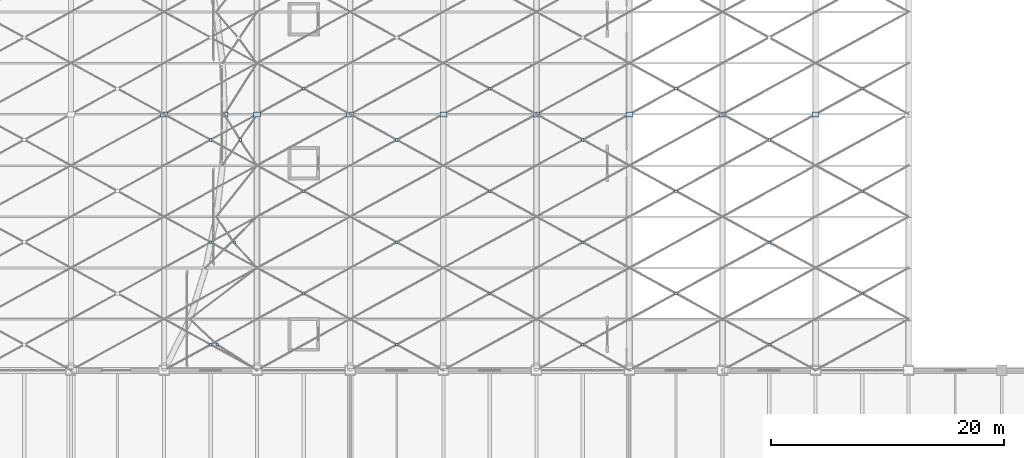
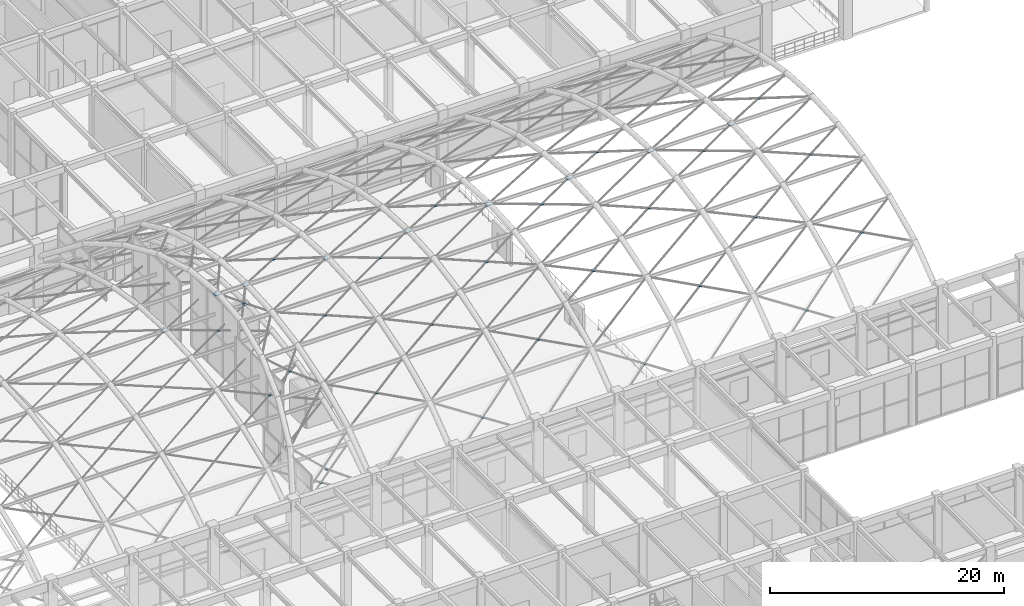
# One storey, part 124 of 163: 37 plates.
"""IFC4 building model written with IfcOpenShell, lengths in metres."""

from ifc_helpers import new_model, si_unit, direction, frame, origin, origin_2d, place, context, subcontext, project, spatial, rectangle, extrude, material, layer, layer_set, type_object, element, save


model = new_model("IFC4")

# Units and contexts
model_context = context("Model", 3, precision=1e-05, world=origin(), true_north=direction((0.0, 1.0)))
body_context = subcontext(model_context, "Body", "Model", "MODEL_VIEW")
ifc_project = project(units=[si_unit("LENGTHUNIT", "METRE"), si_unit("AREAUNIT", "SQUARE_METRE"), si_unit("VOLUMEUNIT", "CUBIC_METRE"), si_unit("PLANEANGLEUNIT", "RADIAN"), si_unit("MASSUNIT", "GRAM", prefix="KILO")], contexts=[model_context])

# Site, building, storey
site_placement = place(None, origin())
site = spatial("IfcSite", under=ifc_project, at=site_placement, CompositionType="ELEMENT")
building_placement = place(site_placement, origin())
building = spatial("IfcBuilding", under=site, at=building_placement, Name="Varnabhumi Central Station", CompositionType="ELEMENT")
storey_placement = place(building_placement, frame((0.0, 0.0, 9.60009765625)))
storey = spatial("IfcBuildingStorey", under=building, at=storey_placement, Name="L02", CompositionType="ELEMENT", Elevation=9.60009765625)

# Plates
ifc_material = material(Name="Structural steel E450", Category="steel")
ifc_layer = layer(ifc_material, 0.035888671875, Name="Structural steel E450", Category="steel")
ifc_layer_set = layer_set([ifc_layer], Name="Structural steel E450")
plate_type = type_object("IfcPlateType", Name="PLT-CLEVIS-C", PredefinedType="SHEET", material=ifc_layer_set)
for number, where, z_axis, x_axis, name in (
    (1, (72.0, 58.0, 10.61181640625), (0.0, 0.0, 1.0), (1.0, 0.0, 0.0), "Ticket Hall Vault Crown Cable Clevis Plate 5"),
    (2, (80.0, 58.0, 10.61181640625), (0.0, 0.0, 1.0), (1.0, 0.0, 0.0), "Ticket Hall Vault Crown Cable Clevis Plate 6"),
):
    element("IfcPlate", number, at=place(storey_placement, frame(where, z_axis=z_axis, x_axis=x_axis)), inside=storey, type_object=plate_type, Name=name, PredefinedType="SHEET", context=body_context, shape_type="SweptSolid", body=[
        extrude(rectangle(XDim=0.60009765625, YDim=0.449951171875, at=origin_2d()), origin(), (0.0, 0.0, 1.0), 0.035888671875),
    ])
for number, where, z_axis, x_axis, name in (
    (3, (76.0, 38.199951171875, 5.30322265625), (0.0, 0.0, 1.0), (1.0, 0.0, 0.0), "Ticket Hall Vault Cable-Net Crossing Clamp Node B5-P1"),
    (4, (76.0, 47.0, 9.13134765625), (0.0, 0.0, 1.0), (1.0, 0.0, 0.0), "Ticket Hall Vault Cable-Net Crossing Clamp Node B5-P3"),
    (5, (76.0, 55.800048828125, 10.541015625), (0.0, 0.0, 1.0), (1.0, 0.0, 0.0), "Ticket Hall Vault Cable-Net Crossing Clamp Node B5-P5"),
):
    element("IfcPlate", number, at=place(storey_placement, frame(where, z_axis=z_axis, x_axis=x_axis)), inside=storey, type_object=plate_type, Name=name, PredefinedType="SHEET", context=body_context, shape_type="SweptSolid", body=[
        extrude(rectangle(XDim=0.219970703125, YDim=0.219970703125, at=origin_2d()), origin(), (0.0, 0.0, 1.0), 0.028076171875),
    ])
for number, where, z_axis, x_axis, name in (
    (6, (77.199951171875, 58.0, 12.61181640625), (0.0, 0.0, 1.0), (1.0, 0.0, 0.0), "Departure Concourse Vault Crown Cable Clevis Plate 1"),
    (7, (80.0, 58.0, 12.61181640625), (0.0, 0.0, 1.0), (1.0, 0.0, 0.0), "Departure Concourse Vault Crown Cable Clevis Plate 2"),
    (8, (88.0, 58.0, 12.61181640625), (0.0, 0.0, 1.0), (1.0, 0.0, 0.0), "Departure Concourse Vault Crown Cable Clevis Plate 3"),
    (9, (96.0, 58.0, 12.61181640625), (0.0, 0.0, 1.0), (1.0, 0.0, 0.0), "Departure Concourse Vault Crown Cable Clevis Plate 4"),
    (10, (104.0, 58.0, 12.61181640625), (0.0, 0.0, 1.0), (1.0, 0.0, 0.0), "Departure Concourse Vault Crown Cable Clevis Plate 5"),
    (11, (112.0, 58.0, 12.61181640625), (0.0, 0.0, 1.0), (1.0, 0.0, 0.0), "Departure Concourse Vault Crown Cable Clevis Plate 6"),
    (12, (120.0, 58.0, 12.61181640625), (0.0, 0.0, 1.0), (1.0, 0.0, 0.0), "Departure Concourse Vault Crown Cable Clevis Plate 7"),
    (13, (128.0, 58.0, 12.61181640625), (0.0, 0.0, 1.0), (1.0, 0.0, 0.0), "Departure Concourse Vault Crown Cable Clevis Plate 8"),
):
    element("IfcPlate", number, at=place(storey_placement, frame(where, z_axis=z_axis, x_axis=x_axis)), inside=storey, type_object=plate_type, Name=name, PredefinedType="SHEET", context=body_context, shape_type="SweptSolid", body=[
        extrude(rectangle(XDim=0.60009765625, YDim=0.449951171875, at=origin_2d()), origin(), (0.0, 0.0, 1.0), 0.035888671875),
    ])
for number, where, z_axis, x_axis, name in (
    (14, (76.553466796875, 38.199951171875, 6.51611328125), (0.0, 0.0, 1.0), (1.0, 0.0, 0.0), "Departure Concourse Vault Cable-Net Crossing Clamp Node B1-P1"),
    (15, (78.01708984375, 47.0, 10.9072265625), (0.0, 0.0, 1.0), (1.0, 0.0, 0.0), "Departure Concourse Vault Cable-Net Crossing Clamp Node B1-P3"),
    (16, (78.55615234375, 55.800048828125, 12.52392578125), (0.0, 0.0, 1.0), (1.0, 0.0, 0.0), "Departure Concourse Vault Cable-Net Crossing Clamp Node B1-P5"),
    (17, (84.0, 42.60009765625, 9.19921875), (0.0, 0.0, 1.0), (1.0, 0.0, 0.0), "Departure Concourse Vault Cable-Net Crossing Clamp Node B2-P2"),
    (18, (84.0, 51.39990234375, 11.99267578125), (0.0, 0.0, 1.0), (1.0, 0.0, 0.0), "Departure Concourse Vault Cable-Net Crossing Clamp Node B2-P4"),
    (19, (84.0, 60.199951171875, 12.52392578125), (0.0, 0.0, 1.0), (1.0, 0.0, 0.0), "Departure Concourse Vault Cable-Net Crossing Clamp Node B2-P6"),
    (20, (92.0, 38.199951171875, 6.51611328125), (0.0, 0.0, 1.0), (1.0, 0.0, 0.0), "Departure Concourse Vault Cable-Net Crossing Clamp Node B3-P1"),
    (21, (92.0, 47.0, 10.9072265625), (0.0, 0.0, 1.0), (1.0, 0.0, 0.0), "Departure Concourse Vault Cable-Net Crossing Clamp Node B3-P3"),
    (22, (92.0, 55.800048828125, 12.52392578125), (0.0, 0.0, 1.0), (1.0, 0.0, 0.0), "Departure Concourse Vault Cable-Net Crossing Clamp Node B3-P5"),
    (23, (100.0, 42.60009765625, 9.19921875), (0.0, 0.0, 1.0), (1.0, 0.0, 0.0), "Departure Concourse Vault Cable-Net Crossing Clamp Node B4-P2"),
    (24, (100.0, 51.39990234375, 11.99267578125), (0.0, 0.0, 1.0), (1.0, 0.0, 0.0), "Departure Concourse Vault Cable-Net Crossing Clamp Node B4-P4"),
    (25, (100.0, 60.199951171875, 12.52392578125), (0.0, 0.0, 1.0), (1.0, 0.0, 0.0), "Departure Concourse Vault Cable-Net Crossing Clamp Node B4-P6"),
    (26, (108.0, 38.199951171875, 6.51611328125), (0.0, 0.0, 1.0), (1.0, 0.0, 0.0), "Departure Concourse Vault Cable-Net Crossing Clamp Node B5-P1"),
    (27, (108.0, 47.0, 10.9072265625), (0.0, 0.0, 1.0), (1.0, 0.0, 0.0), "Departure Concourse Vault Cable-Net Crossing Clamp Node B5-P3"),
    (28, (108.0, 55.800048828125, 12.52392578125), (0.0, 0.0, 1.0), (1.0, 0.0, 0.0), "Departure Concourse Vault Cable-Net Crossing Clamp Node B5-P5"),
    (29, (116.0, 42.60009765625, 9.19921875), (0.0, 0.0, 1.0), (1.0, 0.0, 0.0), "Departure Concourse Vault Cable-Net Crossing Clamp Node B6-P2"),
    (30, (116.0, 51.39990234375, 11.99267578125), (0.0, 0.0, 1.0), (1.0, 0.0, 0.0), "Departure Concourse Vault Cable-Net Crossing Clamp Node B6-P4"),
    (31, (116.0, 60.199951171875, 12.52392578125), (0.0, 0.0, 1.0), (1.0, 0.0, 0.0), "Departure Concourse Vault Cable-Net Crossing Clamp Node B6-P6"),
    (32, (124.0, 38.199951171875, 6.51611328125), (0.0, 0.0, 1.0), (1.0, 0.0, 0.0), "Departure Concourse Vault Cable-Net Crossing Clamp Node B7-P1"),
    (33, (124.0, 47.0, 10.9072265625), (0.0, 0.0, 1.0), (1.0, 0.0, 0.0), "Departure Concourse Vault Cable-Net Crossing Clamp Node B7-P3"),
    (34, (124.0, 55.800048828125, 12.52392578125), (0.0, 0.0, 1.0), (1.0, 0.0, 0.0), "Departure Concourse Vault Cable-Net Crossing Clamp Node B7-P5"),
    (35, (132.0, 42.60009765625, 9.19921875), (0.0, 0.0, 1.0), (1.0, 0.0, 0.0), "Departure Concourse Vault Cable-Net Crossing Clamp Node B8-P2"),
    (36, (132.0, 51.39990234375, 11.99267578125), (0.0, 0.0, 1.0), (1.0, 0.0, 0.0), "Departure Concourse Vault Cable-Net Crossing Clamp Node B8-P4"),
    (37, (132.0, 60.199951171875, 12.52392578125), (0.0, 0.0, 1.0), (1.0, 0.0, 0.0), "Departure Concourse Vault Cable-Net Crossing Clamp Node B8-P6"),
):
    element("IfcPlate", number, at=place(storey_placement, frame(where, z_axis=z_axis, x_axis=x_axis)), inside=storey, type_object=plate_type, Name=name, PredefinedType="SHEET", context=body_context, shape_type="SweptSolid", body=[
        extrude(rectangle(XDim=0.219970703125, YDim=0.219970703125, at=origin_2d()), origin(), (0.0, 0.0, 1.0), 0.028076171875),
    ])

save(model, "model.ifc")
